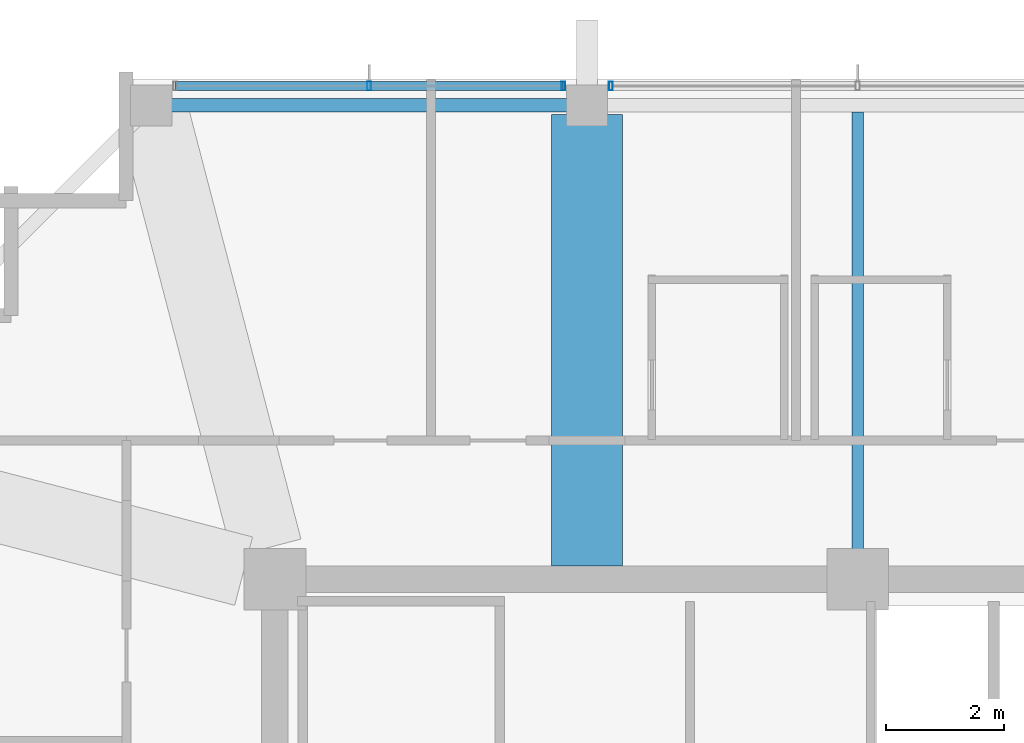
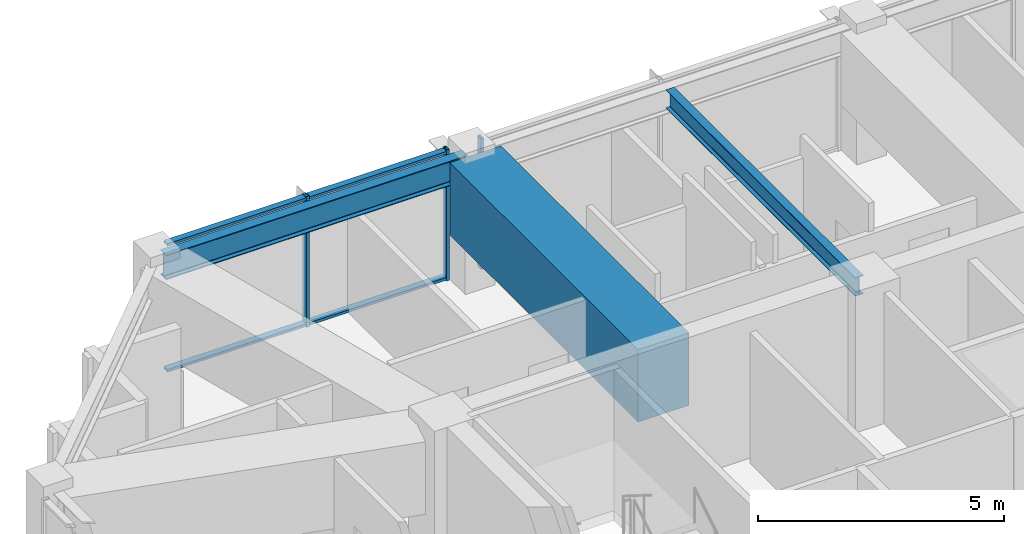
# One storey, part 15 of 31: 5 members, 3 beams, 2 elements without a shape of their own.
"""IFC4 building model written with IfcOpenShell, lengths in metres."""

from ifc_helpers import new_model, si_unit, direction, frame, origin, origin_2d, place, context, subcontext, project, spatial, rectangle, hollow_rectangle, i_section, extrude, material, material_profile, profile_set, type_object, element, aggregate, save


model = new_model("IFC4")

# Units and contexts
model_context = context("Model", 3, precision=1e-05, world=origin(), true_north=direction((0.0, 1.0)))
body_context = subcontext(model_context, "Body", "Model", "MODEL_VIEW")
ifc_project = project(units=[si_unit("LENGTHUNIT", "METRE"), si_unit("AREAUNIT", "SQUARE_METRE"), si_unit("VOLUMEUNIT", "CUBIC_METRE"), si_unit("PLANEANGLEUNIT", "RADIAN"), si_unit("MASSUNIT", "GRAM", prefix="KILO")], contexts=[model_context])

# Site, building, storey
site_placement = place(None, origin())
site = spatial("IfcSite", under=ifc_project, at=site_placement, CompositionType="ELEMENT")
building_placement = place(site_placement, origin())
building = spatial("IfcBuilding", under=site, at=building_placement, Name="Kolvaren Belvedere", CompositionType="ELEMENT")
storey_placement = place(building_placement, frame((0.0, 0.0, 237.39990234375)))
storey = spatial("IfcBuildingStorey", under=building, at=storey_placement, Name="L69", CompositionType="ELEMENT", Elevation=237.39990234375)

# Beams
ifc_material_1 = material(Name="Structural steel ASTM A992 Grade 50", Category="steel")
ifc_material_profile_1 = material_profile(ifc_material_1, i_section(OverallWidth=0.19091796875, OverallDepth=0.4599609375, WebThickness=0.010009765625, FlangeThickness=0.01611328125, FilletRadius=0.014892578125, at=origin_2d()), Name="W18X55")
ifc_profile_set_1 = profile_set([ifc_material_profile_1], Name="Structural steel ASTM A992 Grade 50")
beam_type_1 = type_object("IfcBeamType", Name="BM-JOIST-W18X55", PredefinedType="BEAM", material=ifc_profile_set_1)
beam_1_placement = place(storey_placement, frame((0.0, 10.125, 3.02001953125), z_axis=(0.0, 1.0, 0.0), x_axis=(-1.0, 0.0, 0.0)))
element("IfcBeam", 1, at=beam_1_placement, inside=storey, type_object=beam_type_1, Name="L69 North Centre Floor Beam", PredefinedType="BEAM", context=body_context, shape_type="SweptSolid", body=[
    extrude(i_section(OverallWidth=0.19091796875, OverallDepth=0.4599609375, WebThickness=0.010009765625, FlangeThickness=0.01611328125, FilletRadius=0.014892578125, at=origin_2d()), origin(), (0.0, 0.0, 1.0), 7.71044921875),
])
ifc_material_2 = material(Name="Structural steel ASTM A992 Grade 50", Category="steel")
ifc_material_profile_2 = material_profile(ifc_material_2, i_section(OverallWidth=0.22900390625, OverallDepth=0.612060546875, WebThickness=0.011962890625, FlangeThickness=0.01953125, FilletRadius=0.01806640625, at=origin_2d()), Name="W24X84")
ifc_profile_set_2 = profile_set([ifc_material_profile_2], Name="Structural steel ASTM A992 Grade 50")
beam_type_2 = type_object("IfcBeamType", Name="BM-SPAN-W24X84", PredefinedType="SPANDREL", material=ifc_profile_set_2)
beam_2_placement = place(storey_placement, frame((-4.757568359375, 17.949951171875, 2.944091796875), z_axis=(-1.0, 0.0, 0.0), x_axis=(0.0, -1.0, 0.0)))
element("IfcBeam", 2, at=beam_2_placement, inside=storey, type_object=beam_type_2, Name="L69 Perimeter Spandrel N2-N1", PredefinedType="SPANDREL", context=body_context, shape_type="SweptSolid", body=[
    extrude(i_section(OverallWidth=0.22900390625, OverallDepth=0.612060546875, WebThickness=0.011962890625, FlangeThickness=0.01953125, FilletRadius=0.01806640625, at=origin_2d()), origin(), (0.0, 0.0, 1.0), 7.0849609375),
])
ifc_material_3 = material(Name="Concrete C50/60", Category="concrete")
ifc_material_profile_3 = material_profile(ifc_material_3, rectangle(XDim=1.199951171875, YDim=1.800048828125, at=origin_2d()), Name="RC 1200X1800")
ifc_profile_set_3 = profile_set([ifc_material_profile_3], Name="Concrete C50/60")
beam_type_3 = type_object("IfcBeamType", Name="BM-TG-1800", PredefinedType="BEAM", material=ifc_profile_set_3)
beam_3_placement = place(storey_placement, frame((-4.60009765625, 10.125, 2.35009765625), z_axis=(0.0, 1.0, 0.0), x_axis=(-1.0, 0.0, 0.0)))
element("IfcBeam", 3, at=beam_3_placement, inside=storey, type_object=beam_type_3, Name="L69 North Radial Girder M", PredefinedType="BEAM", context=body_context, shape_type="SweptSolid", body=[
    extrude(rectangle(XDim=1.199951171875, YDim=1.800048828125, at=origin_2d()), origin(), (0.0, 0.0, 1.0), 7.66748046875),
])

# Curtain wall, members
ifc_material_4 = material(Name="Anodised pale-metal aluminium AA 6063-T6", Category="aluminium")
curtain_wall_type = type_object("IfcCurtainWallType", Name="CW-Z5-HIGH", PredefinedType="NOTDEFINED", material=ifc_material_4)
curtain_wall_1_placement = place(storey_placement, origin())
curtain_wall_1 = element("IfcCurtainWall", 4, at=curtain_wall_1_placement, inside=storey, type_object=curtain_wall_type, Name="L69 Unitised Curtain Wall FCW-L69-N-B1", PredefinedType="NOTDEFINED")
ifc_material_5 = material(Name="Anodised pale-metal aluminium AA 6063-T6", Category="aluminium")
ifc_material_profile_4 = material_profile(ifc_material_5, hollow_rectangle(XDim=0.070068359375, YDim=0.14990234375, WallThickness=0.004150390625, at=origin_2d()), Name="ALU-MUL-150X70")
ifc_profile_set_4 = profile_set([ifc_material_profile_4], Name="Anodised pale-metal aluminium AA 6063-T6")
member_type_1 = type_object("IfcMemberType", Name="CW-MUL-150", PredefinedType="MULLION", material=ifc_profile_set_4)
member_1_placement = place(storey_placement, frame((-8.300048828125, 18.280029296875, 0.0), z_axis=(0.0, 0.0, 1.0), x_axis=(1.0, 0.0, 0.0)))
member_1 = element("IfcMember", 5, at=member_1_placement, type_object=member_type_1, Name="FCW-L69-N-B1 Unitised Mullion 2", PredefinedType="MULLION", context=body_context, shape_type="SweptSolid", body=[
    extrude(hollow_rectangle(XDim=0.070068359375, YDim=0.14990234375, WallThickness=0.004150390625, at=origin_2d()), origin(), (0.0, 0.0, 1.0), 3.25),
])
member_2_placement = place(storey_placement, frame((-5.0048828125, 18.280029296875, 0.0), z_axis=(0.0, 0.0, 1.0), x_axis=(1.0, 0.0, 0.0)))
member_2 = element("IfcMember", 6, at=member_2_placement, type_object=member_type_1, Name="FCW-L69-N-B1 Unitised Mullion 3", PredefinedType="MULLION", context=body_context, shape_type="SweptSolid", body=[
    extrude(hollow_rectangle(XDim=0.070068359375, YDim=0.14990234375, WallThickness=0.004150390625, at=origin_2d()), origin(), (0.0, 0.0, 1.0), 3.25),
])

# Curtain wall, member
curtain_wall_2_placement = place(storey_placement, origin())
curtain_wall_2 = element("IfcCurtainWall", 7, at=curtain_wall_2_placement, inside=storey, type_object=curtain_wall_type, Name="L69 Unitised Curtain Wall FCW-L69-N-B2", PredefinedType="NOTDEFINED")
member_3_placement = place(storey_placement, frame((-4.195068359375, 18.280029296875, 0.0), z_axis=(0.0, 0.0, 1.0), x_axis=(1.0, 0.0, 0.0)))
member_3 = element("IfcMember", 8, at=member_3_placement, type_object=member_type_1, Name="FCW-L69-N-B2 Unitised Mullion 1", PredefinedType="MULLION", context=body_context, shape_type="SweptSolid", body=[
    extrude(hollow_rectangle(XDim=0.070068359375, YDim=0.14990234375, WallThickness=0.004150390625, at=origin_2d()), origin(), (0.0, 0.0, 1.0), 3.25),
])
aggregate(curtain_wall_2, [member_3])

# Member
ifc_material_6 = material(Name="Anodised pale-metal aluminium AA 6063-T6", Category="aluminium")
ifc_material_profile_5 = material_profile(ifc_material_6, hollow_rectangle(XDim=0.06494140625, YDim=0.14990234375, WallThickness=0.00390625, at=origin_2d()), Name="ALU-TRN-150X65")
ifc_profile_set_5 = profile_set([ifc_material_profile_5], Name="Anodised pale-metal aluminium AA 6063-T6")
member_type_2 = type_object("IfcMemberType", Name="CW-TRN-150", PredefinedType="USERDEFINED", material=ifc_profile_set_5)
member_4_placement = place(storey_placement, frame((-11.594970703125, 18.280029296875, 0.06005859375), z_axis=(1.0, 0.0, 0.0), x_axis=(0.0, 0.0, 1.0)))
member_4 = element("IfcMember", 9, at=member_4_placement, type_object=member_type_2, Name="FCW-L69-N-B1 Sill Transom", ObjectType="TRANSOM", PredefinedType="USERDEFINED", context=body_context, shape_type="SweptSolid", body=[
    extrude(hollow_rectangle(XDim=0.06494140625, YDim=0.14990234375, WallThickness=0.00390625, at=origin_2d()), origin(), (0.0, 0.0, 1.0), 6.590087890625),
])

member_5_placement = place(storey_placement, frame((-11.594970703125, 18.280029296875, 3.190185546875), z_axis=(1.0, 0.0, 0.0), x_axis=(0.0, 0.0, 1.0)))
member_5 = element("IfcMember", 10, at=member_5_placement, type_object=member_type_2, Name="FCW-L69-N-B1 Head Transom", ObjectType="TRANSOM", PredefinedType="USERDEFINED", context=body_context, shape_type="SweptSolid", body=[
    extrude(hollow_rectangle(XDim=0.06494140625, YDim=0.14990234375, WallThickness=0.00390625, at=origin_2d()), origin(), (0.0, 0.0, 1.0), 6.590087890625),
])

aggregate(curtain_wall_1, [member_1, member_2, member_4, member_5])

save(model, "model.ifc")
